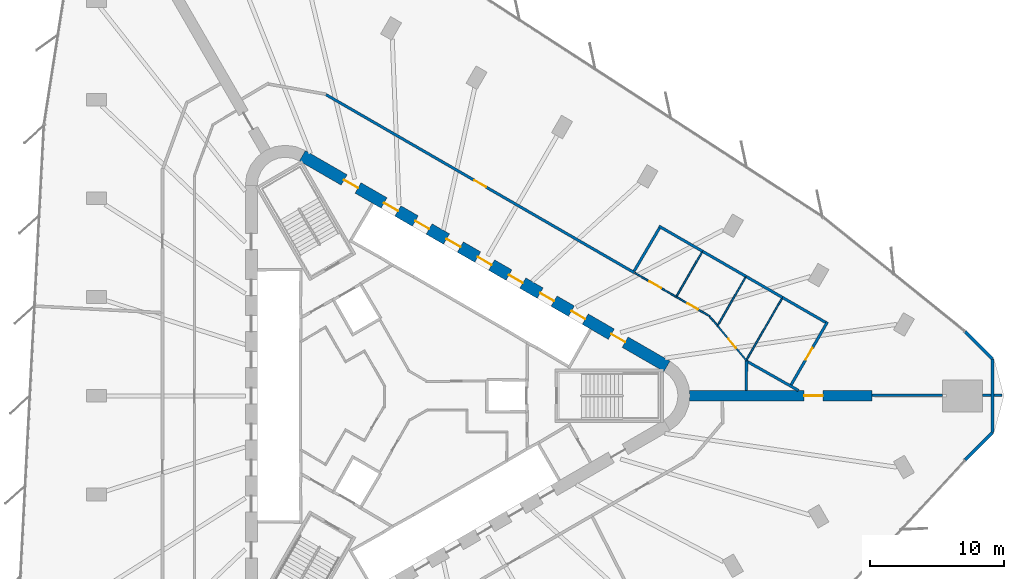
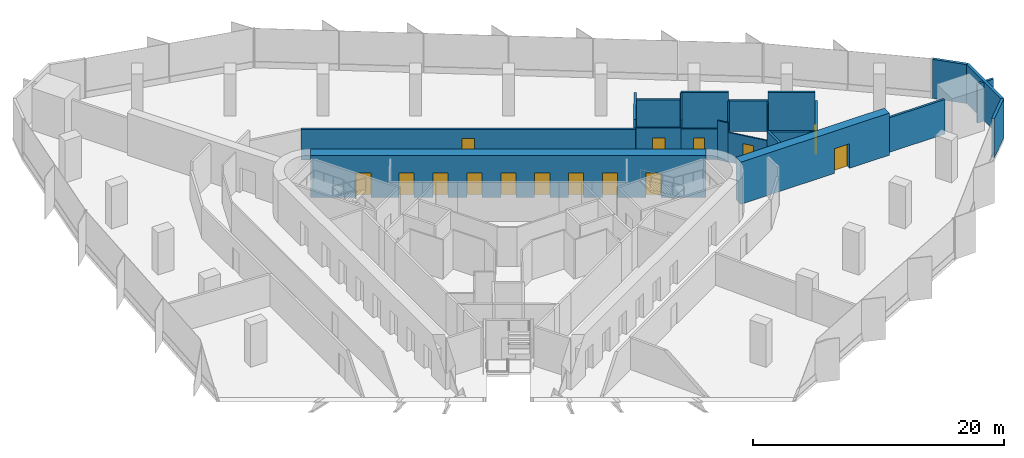
# One storey, part 12 of 14: 24 walls, 15 doors, 15 openings.
"""IFC4 building model written with IfcOpenShell, lengths in metres."""

import ifcopenshell
import ifcopenshell.guid

model = None  # the IFC model being written
_history = None  # IfcOwnerHistory: only IFC2X3 demands one
_inside = {}  # id of a spatial element -> (the spatial element, [elements in it])
_under = {}  # id of a project, library or spatial element -> (it, [spatial elements below it])
_declared = {}  # id of a project -> (the project, [libraries it declares])
_typed = {}  # id of a type object -> (the type object, [elements of that type])
_made_of = {}  # id of a material, layer set ... -> (it, [elements and type objects made of it])


def new_model(schema):
    """Start an empty IFC model of exactly this schema.

    Asked for "IFC4X3", IfcOpenShell would pick the latest addendum, in which some entities
    have other attributes; the version numbers below select the first issue.
    IFC2X3 requires an IfcOwnerHistory on every rooted entity: one is made here for all.
    """
    global model, _history
    if schema == "IFC4X3":
        model = ifcopenshell.file(schema_version=(4, 3, 0, 0))
    else:
        model = ifcopenshell.file(schema=schema)
    _inside.clear()
    _under.clear()
    _declared.clear()
    _typed.clear()
    _made_of.clear()
    _history = None
    if model.schema == "IFC2X3":
        org = make("IfcOrganization", Name="unknown")
        user = make(
            "IfcPersonAndOrganization",
            ThePerson=make("IfcPerson", FamilyName="unknown"),
            TheOrganization=org,
        )
        app = make(
            "IfcApplication",
            ApplicationDeveloper=org,
            Version="unknown",
            ApplicationFullName="unknown",
            ApplicationIdentifier="unknown",
        )
        _history = make(
            "IfcOwnerHistory",
            OwningUser=user,
            OwningApplication=app,
            ChangeAction="ADDED",
            CreationDate=0,
        )
    return model


def make(cls, **values):
    """One entity of the class cls with the attributes given. An attribute that is None is left unset."""
    return model.create_entity(
        cls, **{name: value for name, value in values.items() if value is not None}
    )


def rooted(cls, **values):
    """An entity with a GlobalId (a new one), such as an element, a storey or a relation."""
    return make(cls, GlobalId=ifcopenshell.guid.new(), OwnerHistory=_history, **values)


def si_unit(unit_type, name, prefix=None):
    """IfcSIUnit, for example si_unit("LENGTHUNIT", "METRE", prefix="MILLI")."""
    return make("IfcSIUnit", UnitType=unit_type, Prefix=prefix, Name=name)


def assignment(units):
    """IfcUnitAssignment: the units of a project."""
    return None if units is None else make("IfcUnitAssignment", Units=units)


def point(xyz):
    """IfcCartesianPoint."""
    return None if xyz is None else make("IfcCartesianPoint", Coordinates=xyz)


def direction(xyz):
    """IfcDirection."""
    return None if xyz is None else make("IfcDirection", DirectionRatios=xyz)


def frame(location, z_axis=None, x_axis=None):
    """IfcAxis2Placement3D, a coordinate frame: its origin and axes. An axis left out is left unset."""
    return make(
        "IfcAxis2Placement3D",
        Location=point(location),
        Axis=direction(z_axis),
        RefDirection=direction(x_axis),
    )


def frame_2d(location, x_axis=None):
    """IfcAxis2Placement2D, a coordinate frame in the plane: its origin and x axis."""
    return make(
        "IfcAxis2Placement2D", Location=point(location), RefDirection=direction(x_axis)
    )


def origin():
    """The frame at (0, 0, 0) with its axes left unset."""
    return frame((0.0, 0.0, 0.0))


def place(relative_to, where):
    """IfcLocalPlacement: puts the frame where relative to a parent placement (None: the world)."""
    return make(
        "IfcLocalPlacement", PlacementRelTo=relative_to, RelativePlacement=where
    )


def context(
    kind, dimensions, precision=None, world=None, true_north=None, identifier=None
):
    """IfcGeometricRepresentationContext, for example the 3D "Model" context."""
    return make(
        "IfcGeometricRepresentationContext",
        ContextIdentifier=identifier,
        ContextType=kind,
        CoordinateSpaceDimension=dimensions,
        Precision=precision,
        WorldCoordinateSystem=world,
        TrueNorth=true_north,
    )


def subcontext(parent, identifier, kind, view, scale=None):
    """IfcGeometricRepresentationSubContext, for example "Body" below "Model"."""
    return make(
        "IfcGeometricRepresentationSubContext",
        ContextIdentifier=identifier,
        ContextType=kind,
        ParentContext=parent,
        TargetScale=scale,
        TargetView=view,
    )


def project(units=None, contexts=None):
    """IfcProject with its units and contexts."""
    return rooted(
        "IfcProject",
        Name="project",
        RepresentationContexts=contexts,
        UnitsInContext=assignment(units),
    )


def spatial(cls, under=None, at=None, **own):
    """A site, building, storey or space (cls), placed at a placement, below another one or the project."""
    s = rooted(cls, ObjectPlacement=at, **own)
    if under is not None:
        _under.setdefault(under.id(), (under, []))[1].append(s)
    return s


def profile(cls, at=None, kind="AREA", **sizes):
    """A parametric profile (cls). Its sizes go by their IFC names, for example OverallWidth=200.0."""
    return make(cls, ProfileType=kind, Position=at, **sizes)


def rectangle(**sizes):
    """IfcRectangleProfileDef."""
    return profile("IfcRectangleProfileDef", **sizes)


def extrude(swept, where, along, depth):
    """IfcExtrudedAreaSolid: the profile swept, set in the frame where, extruded along a direction by depth."""
    return make(
        "IfcExtrudedAreaSolid",
        SweptArea=swept,
        Position=where,
        ExtrudedDirection=direction(along),
        Depth=depth,
    )


def shape(context_of_items, identifier, shape_type, items):
    """IfcShapeRepresentation: the items that make up one representation, for example the "Body"."""
    return make(
        "IfcShapeRepresentation",
        ContextOfItems=context_of_items,
        RepresentationIdentifier=identifier,
        RepresentationType=shape_type,
        Items=items,
    )


def material(Name=None, Category=None):
    """IfcMaterial."""
    return make("IfcMaterial", Name=Name, Category=Category)


def layer(
    of_material, thickness, ventilated=None, Name=None, Category=None, Priority=None
):
    """IfcMaterialLayer: one layer of a wall or slab, of a material (None: an air gap)."""
    return make(
        "IfcMaterialLayer",
        Material=of_material,
        LayerThickness=thickness,
        IsVentilated=ventilated,
        Name=Name,
        Category=Category,
        Priority=Priority,
    )


def layer_set(layers, Name=None):
    """IfcMaterialLayerSet."""
    return make("IfcMaterialLayerSet", MaterialLayers=layers, LayerSetName=Name)


def made_of(thing, what):
    """Note that an element or type object is made of a material, layer set ...; save() writes the relation."""
    if what is not None:
        _made_of.setdefault(what.id(), (what, []))[1].append(thing)
    return thing


def type_object(cls, material=None, **own):
    """A type object (cls), such as IfcWallType, which elements share."""
    return made_of(rooted(cls, **own), material)


def element(
    cls,
    number,
    at=None,
    inside=None,
    cuts=None,
    type_object=None,
    material=None,
    context=None,
    identifier="Body",
    shape_type=None,
    held_by="IfcProductDefinitionShape",
    body=None,
    shapes=None,
    **own,
):
    """One element of the class cls, such as IfcWall. Its Tag is "e" and its number.

    at: its placement. inside: the storey or other place that contains it. cuts: it is an
    opening in that element (IfcRelVoidsElement). A single representation is given by context,
    identifier, shape_type and body (its items); several are given by shapes. held_by: the class
    of the entity that holds the representations. save() writes the other relations.
    """
    e = rooted(cls, Tag="e%d" % number, ObjectPlacement=at, **own)
    if body is not None:
        shapes = [shape(context, identifier, shape_type, body)]
    if shapes is not None:
        e.Representation = make(held_by, Representations=shapes)
    if inside is not None:
        _inside.setdefault(inside.id(), (inside, []))[1].append(e)
    if cuts is not None:
        rooted(
            "IfcRelVoidsElement", RelatingBuildingElement=cuts, RelatedOpeningElement=e
        )
    if type_object is not None:
        _typed.setdefault(type_object.id(), (type_object, []))[1].append(e)
    return made_of(e, material)


def fill(opening, filler):
    """IfcRelFillsElement: the door or window that sits in an opening."""
    return rooted(
        "IfcRelFillsElement",
        RelatingOpeningElement=opening,
        RelatedBuildingElement=filler,
    )


def aggregate(whole, parts):
    """IfcRelAggregates: a whole, such as a stair, and the parts it consists of."""
    return rooted("IfcRelAggregates", RelatingObject=whole, RelatedObjects=parts)


def save(model, path):
    """Write the relations noted so far, then the file.

    IfcRelAggregates (storeys below a building ...), IfcRelContainedInSpatialStructure (elements
    in a storey), IfcRelDefinesByType, IfcRelAssociatesMaterial and IfcRelDeclares: one each for
    every whole, place, type object, material and project.
    """
    for whole, parts in _under.values():
        aggregate(whole, parts)
    for where, things in _inside.values():
        rooted(
            "IfcRelContainedInSpatialStructure",
            RelatedElements=things,
            RelatingStructure=where,
        )
    for kind, things in _typed.values():
        rooted("IfcRelDefinesByType", RelatedObjects=things, RelatingType=kind)
    for what, things in _made_of.values():
        rooted("IfcRelAssociatesMaterial", RelatedObjects=things, RelatingMaterial=what)
    for by, libraries in _declared.values():
        rooted("IfcRelDeclares", RelatingContext=by, RelatedDefinitions=libraries)
    model.write(path)


model = new_model("IFC4")

# Units and contexts
model_context = context("Model", 3, precision=1e-05, world=origin(), true_north=direction((0.0, 1.0)))
body_context = subcontext(model_context, "Body", "Model", "MODEL_VIEW")
ifc_project = project(units=[si_unit("LENGTHUNIT", "METRE"), si_unit("AREAUNIT", "SQUARE_METRE"), si_unit("VOLUMEUNIT", "CUBIC_METRE"), si_unit("PLANEANGLEUNIT", "RADIAN"), si_unit("MASSUNIT", "GRAM", prefix="KILO")], contexts=[model_context])

# Site, building, storey
site_placement = place(None, origin())
site = spatial("IfcSite", under=ifc_project, at=site_placement, CompositionType="ELEMENT")
building_placement = place(site_placement, origin())
building = spatial("IfcBuilding", under=site, at=building_placement, Name="Tanit Gate Tower", CompositionType="ELEMENT")
storey_placement = place(building_placement, frame((0.0, 0.0, 70.10009765625)))
storey = spatial("IfcBuildingStorey", under=building, at=storey_placement, Name="L13", CompositionType="ELEMENT", Elevation=70.10009765625)

# Wall, opening, door
ifc_material_1 = material(Name="Concrete C60/75", Category="concrete")
ifc_layer_1 = layer(ifc_material_1, 0.800048828125)
ifc_layer_set_1 = layer_set([ifc_layer_1], Name="BUTTRESS FIN 800 C60/75")
wall_type_1 = type_object("IfcWallType", Name="BUTTRESS FIN 800 C60/75", PredefinedType="SHEAR", material=ifc_layer_set_1)
wall_1_placement = place(storey_placement, frame((21.14990234375, 0.0, 0.0), z_axis=(0.0, 0.0, 1.0), x_axis=(1.0, 0.0, 0.0)))
wall_1 = element("IfcWall", 1, at=wall_1_placement, inside=storey, type_object=wall_type_1, Name="BUTTRESS FIN", PredefinedType="SHEAR", context=body_context, shape_type="SweptSolid", body=[
    extrude(rectangle(XDim=13.669677734375, YDim=0.800048828125, at=frame_2d((6.8349609375, 0.0))), origin(), (0.0, 0.0, 1.0), 4.099853515625),
])
opening_1_placement = place(wall_1_placement, frame((8.60009765625, 0.0, 0.0)))
opening_1 = element("IfcOpeningElement", 2, at=opening_1_placement, cuts=wall_1, Name="Opening P14-S02-F-E-1", PredefinedType="OPENING", context=body_context, shape_type="SweptSolid", body=[
    extrude(rectangle(XDim=1.39990234375, YDim=2.39990234375, at=frame_2d((0.699951171875, 1.199951171875))), frame((0.0, 0.41015625, 0.0), z_axis=(0.0, -1.0, 0.0), x_axis=(1.0, 0.0, 0.0)), (0.0, 0.0, 1.0), 0.820068359375),
])
ifc_material_2 = material(Name="Timber door leaf", Category="wood")
door_type_1 = type_object("IfcDoorType", Name="INT-DOOR-FIN-PAIR-1400", OperationType="NOTDEFINED", PredefinedType="NOTDEFINED", material=ifc_material_2)
door_1_placement = place(opening_1_placement, origin())
door_1 = element("IfcDoor", 3, at=door_1_placement, inside=storey, type_object=door_type_1, Name="Door P14-S02-F-E-1", OperationType="DOUBLE_DOOR_SINGLE_SWING", OverallHeight=2.39990234375, OverallWidth=1.39990234375, PredefinedType="NOTDEFINED", context=body_context, shape_type="SweptSolid", body=[
    extrude(rectangle(XDim=1.39990234375, YDim=2.39990234375, at=frame_2d((0.699951171875, 1.199951171875))), frame((0.0, 0.02490234375, 0.0), z_axis=(0.0, -1.0, 0.0), x_axis=(1.0, 0.0, 0.0)), (0.0, 0.0, 1.0), 0.050048828125),
])
fill(opening_1, door_1)

# Wall, openings, doors
ifc_material_3 = material(Name="Concrete C60/75", Category="concrete")
ifc_layer_2 = layer(ifc_material_3, 0.89990234375)
ifc_layer_set_2 = layer_set([ifc_layer_2], Name="CORE WALL 900 C60/75")
wall_type_2 = type_object("IfcWallType", Name="CORE WALL 900 C60/75", PredefinedType="SHEAR", material=ifc_layer_set_2)
wall_2_placement = place(storey_placement, frame((19.47509765625, 2.20849609375, 0.0), z_axis=(0.0, 0.0, 1.0), x_axis=(-0.866028369851, 0.499994862586, 0.0)))
wall_2 = element("IfcWall", 4, at=wall_2_placement, inside=storey, type_object=wall_type_2, Name="CORE WALL", PredefinedType="SHEAR", context=body_context, shape_type="SweptSolid", body=[
    extrude(rectangle(XDim=31.523193359375, YDim=0.89990234375, at=frame_2d((15.76171875, 0.0))), origin(), (0.0, 0.0, 1.0), 4.099853515625),
])
opening_2_placement = place(wall_2_placement, frame((7.0615234375, 0.0, 0.0)))
opening_2 = element("IfcOpeningElement", 5, at=opening_2_placement, cuts=wall_2, Name="Opening LDLL8-S02", PredefinedType="OPENING", context=body_context, shape_type="SweptSolid", body=[
    extrude(rectangle(XDim=1.199951171875, YDim=2.39990234375, at=frame_2d((0.60009765625, 1.199951171875))), frame((0.0, 0.4599609375, 0.0), z_axis=(0.0, -1.0, 0.0), x_axis=(1.0, 0.0, 0.0)), (0.0, 0.0, 1.0), 0.919921875),
])
opening_3_placement = place(wall_2_placement, frame((9.76171875, 0.0, 0.0)))
opening_3 = element("IfcOpeningElement", 6, at=opening_3_placement, cuts=wall_2, Name="Opening LDLL9-S02", PredefinedType="OPENING", context=body_context, shape_type="SweptSolid", body=[
    extrude(rectangle(XDim=1.199951171875, YDim=2.39990234375, at=frame_2d((0.60009765625, 1.199951171875))), frame((0.0, 0.4599609375, 0.0), z_axis=(0.0, -1.0, 0.0), x_axis=(1.0, 0.0, 0.0)), (0.0, 0.0, 1.0), 0.919921875),
])
opening_4_placement = place(wall_2_placement, frame((12.461669921875, 0.0, 0.0)))
opening_4 = element("IfcOpeningElement", 7, at=opening_4_placement, cuts=wall_2, Name="Opening LDLL10-S02", PredefinedType="OPENING", context=body_context, shape_type="SweptSolid", body=[
    extrude(rectangle(XDim=1.199951171875, YDim=2.39990234375, at=frame_2d((0.60009765625, 1.199951171875))), frame((0.0, 0.4599609375, 0.0), z_axis=(0.0, -1.0, 0.0), x_axis=(1.0, 0.0, 0.0)), (0.0, 0.0, 1.0), 0.919921875),
])
opening_5_placement = place(wall_2_placement, frame((15.16162109375, 0.0, 0.0)))
opening_5 = element("IfcOpeningElement", 8, at=opening_5_placement, cuts=wall_2, Name="Opening LDSL1-S02", PredefinedType="OPENING", context=body_context, shape_type="SweptSolid", body=[
    extrude(rectangle(XDim=1.199951171875, YDim=2.39990234375, at=frame_2d((0.60009765625, 1.199951171875))), frame((0.0, 0.4599609375, 0.0), z_axis=(0.0, -1.0, 0.0), x_axis=(1.0, 0.0, 0.0)), (0.0, 0.0, 1.0), 0.919921875),
])
opening_6_placement = place(wall_2_placement, frame((17.861572265625, 0.0, 0.0)))
opening_6 = element("IfcOpeningElement", 9, at=opening_6_placement, cuts=wall_2, Name="Opening LDSL2-S02", PredefinedType="OPENING", context=body_context, shape_type="SweptSolid", body=[
    extrude(rectangle(XDim=1.199951171875, YDim=2.39990234375, at=frame_2d((0.60009765625, 1.199951171875))), frame((0.0, 0.4599609375, 0.0), z_axis=(0.0, -1.0, 0.0), x_axis=(1.0, 0.0, 0.0)), (0.0, 0.0, 1.0), 0.919921875),
])
opening_7_placement = place(wall_2_placement, frame((20.5615234375, 0.0, 0.0)))
opening_7 = element("IfcOpeningElement", 10, at=opening_7_placement, cuts=wall_2, Name="Opening LDSL3-S02", PredefinedType="OPENING", context=body_context, shape_type="SweptSolid", body=[
    extrude(rectangle(XDim=1.199951171875, YDim=2.39990234375, at=frame_2d((0.60009765625, 1.199951171875))), frame((0.0, 0.4599609375, 0.0), z_axis=(0.0, -1.0, 0.0), x_axis=(1.0, 0.0, 0.0)), (0.0, 0.0, 1.0), 0.919921875),
])
opening_8_placement = place(wall_2_placement, frame((23.26171875, 0.0, 0.0)))
opening_8 = element("IfcOpeningElement", 11, at=opening_8_placement, cuts=wall_2, Name="Opening LDSL4-S02", PredefinedType="OPENING", context=body_context, shape_type="SweptSolid", body=[
    extrude(rectangle(XDim=1.199951171875, YDim=2.39990234375, at=frame_2d((0.60009765625, 1.199951171875))), frame((0.0, 0.4599609375, 0.0), z_axis=(0.0, -1.0, 0.0), x_axis=(1.0, 0.0, 0.0)), (0.0, 0.0, 1.0), 0.919921875),
])
opening_9_placement = place(wall_2_placement, frame((3.611572265625, 0.0, 0.0)))
opening_9 = element("IfcOpeningElement", 12, at=opening_9_placement, cuts=wall_2, Name="Opening F12-S02-FL1", PredefinedType="OPENING", context=body_context, shape_type="SweptSolid", body=[
    extrude(rectangle(XDim=1.199951171875, YDim=2.39990234375, at=frame_2d((0.60009765625, 1.199951171875))), frame((0.0, 0.4599609375, 0.0), z_axis=(0.0, -1.0, 0.0), x_axis=(1.0, 0.0, 0.0)), (0.0, 0.0, 1.0), 0.919921875),
])
opening_10_placement = place(wall_2_placement, frame((26.711669921875, 0.0, 0.0)))
opening_10 = element("IfcOpeningElement", 13, at=opening_10_placement, cuts=wall_2, Name="Opening F12-S02-S2", PredefinedType="OPENING", context=body_context, shape_type="SweptSolid", body=[
    extrude(rectangle(XDim=1.199951171875, YDim=2.39990234375, at=frame_2d((0.60009765625, 1.199951171875))), frame((0.0, 0.4599609375, 0.0), z_axis=(0.0, -1.0, 0.0), x_axis=(1.0, 0.0, 0.0)), (0.0, 0.0, 1.0), 0.919921875),
])
ifc_material_4 = material(Name="Fire-rated steel door leaf", Category="steel")
door_type_2 = type_object("IfcDoorType", Name="INT-DOOR-FIRE-LOBBY-1200", OperationType="NOTDEFINED", PredefinedType="USERDEFINED", material=ifc_material_4)
door_2_placement = place(opening_9_placement, origin())
door_2 = element("IfcDoor", 14, at=door_2_placement, inside=storey, type_object=door_type_2, Name="Door F12-S02-FL1", ObjectType="FIRE DOOR", OperationType="SINGLE_SWING_LEFT", OverallHeight=2.39990234375, OverallWidth=1.199951171875, PredefinedType="USERDEFINED", context=body_context, shape_type="SweptSolid", body=[
    extrude(rectangle(XDim=1.199951171875, YDim=2.39990234375, at=frame_2d((0.60009765625, 1.199951171875))), frame((0.0, 0.02490234375, 0.0), z_axis=(0.0, -1.0, 0.0), x_axis=(1.0, 0.0, 0.0)), (0.0, 0.0, 1.0), 0.050048828125),
])
fill(opening_9, door_2)
door_3_placement = place(opening_10_placement, origin())
door_3 = element("IfcDoor", 15, at=door_3_placement, inside=storey, type_object=door_type_2, Name="Door F12-S02-S2", ObjectType="FIRE DOOR", OperationType="SINGLE_SWING_LEFT", OverallHeight=2.39990234375, OverallWidth=1.199951171875, PredefinedType="USERDEFINED", context=body_context, shape_type="SweptSolid", body=[
    extrude(rectangle(XDim=1.199951171875, YDim=2.39990234375, at=frame_2d((0.60009765625, 1.199951171875))), frame((0.0, 0.02490234375, 0.0), z_axis=(0.0, -1.0, 0.0), x_axis=(1.0, 0.0, 0.0)), (0.0, 0.0, 1.0), 0.050048828125),
])
fill(opening_10, door_3)
ifc_material_5 = material(Name="Stainless steel sliding door leaf", Category="steel")
door_type_3 = type_object("IfcDoorType", Name="INT-DOOR-LANDING-1200", OperationType="NOTDEFINED", PredefinedType="USERDEFINED", material=ifc_material_5)
door_4_placement = place(opening_2_placement, origin())
door_4 = element("IfcDoor", 16, at=door_4_placement, inside=storey, type_object=door_type_3, Name="Door LDLL8-S02", ObjectType="LANDING DOOR", OperationType="SLIDING_TO_LEFT", OverallHeight=2.39990234375, OverallWidth=1.199951171875, PredefinedType="USERDEFINED", context=body_context, shape_type="SweptSolid", body=[
    extrude(rectangle(XDim=1.199951171875, YDim=2.39990234375, at=frame_2d((0.60009765625, 1.199951171875))), frame((0.0, 0.02490234375, 0.0), z_axis=(0.0, -1.0, 0.0), x_axis=(1.0, 0.0, 0.0)), (0.0, 0.0, 1.0), 0.050048828125),
])
fill(opening_2, door_4)
door_5_placement = place(opening_3_placement, origin())
door_5 = element("IfcDoor", 17, at=door_5_placement, inside=storey, type_object=door_type_3, Name="Door LDLL9-S02", ObjectType="LANDING DOOR", OperationType="SLIDING_TO_LEFT", OverallHeight=2.39990234375, OverallWidth=1.199951171875, PredefinedType="USERDEFINED", context=body_context, shape_type="SweptSolid", body=[
    extrude(rectangle(XDim=1.199951171875, YDim=2.39990234375, at=frame_2d((0.60009765625, 1.199951171875))), frame((0.0, 0.02490234375, 0.0), z_axis=(0.0, -1.0, 0.0), x_axis=(1.0, 0.0, 0.0)), (0.0, 0.0, 1.0), 0.050048828125),
])
fill(opening_3, door_5)
door_6_placement = place(opening_4_placement, origin())
door_6 = element("IfcDoor", 18, at=door_6_placement, inside=storey, type_object=door_type_3, Name="Door LDLL10-S02", ObjectType="LANDING DOOR", OperationType="SLIDING_TO_LEFT", OverallHeight=2.39990234375, OverallWidth=1.199951171875, PredefinedType="USERDEFINED", context=body_context, shape_type="SweptSolid", body=[
    extrude(rectangle(XDim=1.199951171875, YDim=2.39990234375, at=frame_2d((0.60009765625, 1.199951171875))), frame((0.0, 0.02490234375, 0.0), z_axis=(0.0, -1.0, 0.0), x_axis=(1.0, 0.0, 0.0)), (0.0, 0.0, 1.0), 0.050048828125),
])
fill(opening_4, door_6)
door_7_placement = place(opening_5_placement, origin())
door_7 = element("IfcDoor", 19, at=door_7_placement, inside=storey, type_object=door_type_3, Name="Door LDSL1-S02", ObjectType="LANDING DOOR", OperationType="SLIDING_TO_LEFT", OverallHeight=2.39990234375, OverallWidth=1.199951171875, PredefinedType="USERDEFINED", context=body_context, shape_type="SweptSolid", body=[
    extrude(rectangle(XDim=1.199951171875, YDim=2.39990234375, at=frame_2d((0.60009765625, 1.199951171875))), frame((0.0, 0.02490234375, 0.0), z_axis=(0.0, -1.0, 0.0), x_axis=(1.0, 0.0, 0.0)), (0.0, 0.0, 1.0), 0.050048828125),
])
fill(opening_5, door_7)
door_8_placement = place(opening_6_placement, origin())
door_8 = element("IfcDoor", 20, at=door_8_placement, inside=storey, type_object=door_type_3, Name="Door LDSL2-S02", ObjectType="LANDING DOOR", OperationType="SLIDING_TO_LEFT", OverallHeight=2.39990234375, OverallWidth=1.199951171875, PredefinedType="USERDEFINED", context=body_context, shape_type="SweptSolid", body=[
    extrude(rectangle(XDim=1.199951171875, YDim=2.39990234375, at=frame_2d((0.60009765625, 1.199951171875))), frame((0.0, 0.02490234375, 0.0), z_axis=(0.0, -1.0, 0.0), x_axis=(1.0, 0.0, 0.0)), (0.0, 0.0, 1.0), 0.050048828125),
])
fill(opening_6, door_8)
door_9_placement = place(opening_7_placement, origin())
door_9 = element("IfcDoor", 21, at=door_9_placement, inside=storey, type_object=door_type_3, Name="Door LDSL3-S02", ObjectType="LANDING DOOR", OperationType="SLIDING_TO_LEFT", OverallHeight=2.39990234375, OverallWidth=1.199951171875, PredefinedType="USERDEFINED", context=body_context, shape_type="SweptSolid", body=[
    extrude(rectangle(XDim=1.199951171875, YDim=2.39990234375, at=frame_2d((0.60009765625, 1.199951171875))), frame((0.0, 0.02490234375, 0.0), z_axis=(0.0, -1.0, 0.0), x_axis=(1.0, 0.0, 0.0)), (0.0, 0.0, 1.0), 0.050048828125),
])
fill(opening_7, door_9)
door_10_placement = place(opening_8_placement, origin())
door_10 = element("IfcDoor", 22, at=door_10_placement, inside=storey, type_object=door_type_3, Name="Door LDSL4-S02", ObjectType="LANDING DOOR", OperationType="SLIDING_TO_LEFT", OverallHeight=2.39990234375, OverallWidth=1.199951171875, PredefinedType="USERDEFINED", context=body_context, shape_type="SweptSolid", body=[
    extrude(rectangle(XDim=1.199951171875, YDim=2.39990234375, at=frame_2d((0.60009765625, 1.199951171875))), frame((0.0, 0.02490234375, 0.0), z_axis=(0.0, -1.0, 0.0), x_axis=(1.0, 0.0, 0.0)), (0.0, 0.0, 1.0), 0.050048828125),
])
fill(opening_8, door_10)

# Walls
ifc_material_6 = material(Name="Concrete C30/37 with bronze anodised aluminium cladding", Category="concrete")
ifc_layer_3 = layer(ifc_material_6, 0.239990234375)
ifc_layer_set_3 = layer_set([ifc_layer_3], Name="Facade wall bronze clad 240")
wall_type_3 = type_object("IfcWallType", Name="Facade wall bronze clad 240", PredefinedType="SOLIDWALL", material=ifc_layer_set_3)
wall_3_placement = place(storey_placement, frame((41.8017578125, -4.814453125, 0.0), z_axis=(0.0, 0.0, 1.0), x_axis=(0.707148907235, 0.707064652629, 0.0)))
element("IfcWall", 23, at=wall_3_placement, inside=storey, type_object=wall_type_3, Name="Bronze-clad facade wall L13 E.arc1", PredefinedType="SOLIDWALL", context=body_context, shape_type="SweptSolid", body=[
    extrude(rectangle(XDim=2.897705078125, YDim=0.239990234375, at=frame_2d((1.44873046875, 0.0))), origin(), (0.0, 0.0, 1.0), 3.7998046875),
])
wall_4_placement = place(storey_placement, frame((43.850830078125, -2.765625, 0.0), z_axis=(0.0, 0.0, 1.0), x_axis=(0.0, 1.0, 0.0)))
element("IfcWall", 24, at=wall_4_placement, inside=storey, type_object=wall_type_3, Name="Bronze-clad facade wall L13 E.arc2", PredefinedType="SOLIDWALL", context=body_context, shape_type="SweptSolid", body=[
    extrude(rectangle(XDim=5.53125, YDim=0.239990234375, at=frame_2d((2.765625, 0.0))), origin(), (0.0, 0.0, 1.0), 3.7998046875),
])
wall_5_placement = place(storey_placement, frame((43.850830078125, 2.765625, 0.0), z_axis=(0.0, 0.0, 1.0), x_axis=(-0.707106781187, 0.707106781187, 0.0)))
element("IfcWall", 25, at=wall_5_placement, inside=storey, type_object=wall_type_3, Name="Bronze-clad facade wall L13 E.arc3", PredefinedType="SOLIDWALL", context=body_context, shape_type="SweptSolid", body=[
    extrude(rectangle(XDim=2.888916015625, YDim=0.239990234375, at=frame_2d((1.4443359375, 0.0))), origin(), (0.0, 0.0, 1.0), 3.7998046875),
])

# Wall, opening, door
ifc_material_7 = material(Name="Fire-rated gypsum board partition")
ifc_layer_4 = layer(ifc_material_7, 0.199951171875)
ifc_layer_set_4 = layer_set([ifc_layer_4], Name="INT-WALL-COMPARTMENT")
wall_type_4 = type_object("IfcWallType", Name="INT-WALL-COMPARTMENT", PredefinedType="PARTITIONING", material=ifc_layer_set_4)
wall_6_placement = place(storey_placement, frame((17.02294921875, 9.224365234375, 0.0), z_axis=(0.0, 0.0, 1.0), x_axis=(-0.866024925705, 0.500000828058, 0.0)))
wall_6 = element("IfcWall", 26, at=wall_6_placement, inside=storey, type_object=wall_type_4, Name="Wall Compartment W096", PredefinedType="PARTITIONING", context=body_context, shape_type="SweptSolid", body=[
    extrude(rectangle(XDim=26.64697265625, YDim=0.199951171875, at=frame_2d((13.323486328125, 0.0))), origin(), (0.0, 0.0, 1.0), 2.97998046875),
])
opening_11_placement = place(wall_6_placement, frame((12.823486328125, 0.0, 0.0)))
opening_11 = element("IfcOpeningElement", 27, at=opening_11_placement, cuts=wall_6, Name="Opening F10-S02-21", PredefinedType="OPENING", context=body_context, shape_type="SweptSolid", body=[
    extrude(rectangle(XDim=1.0, YDim=2.10009765625, at=frame_2d((0.5, 1.050048828125))), frame((0.0, 0.10986328125, 0.0), z_axis=(0.0, -1.0, 0.0), x_axis=(1.0, 0.0, 0.0)), (0.0, 0.0, 1.0), 0.219970703125),
])
ifc_material_8 = material(Name="Fire-rated steel door leaf", Category="steel")
door_type_4 = type_object("IfcDoorType", Name="INT-DOOR-FIRE-1000", OperationType="NOTDEFINED", PredefinedType="USERDEFINED", material=ifc_material_8)
door_11_placement = place(opening_11_placement, origin())
door_11 = element("IfcDoor", 28, at=door_11_placement, inside=storey, type_object=door_type_4, Name="Door F10-S02-21", ObjectType="FIRE DOOR", OperationType="SINGLE_SWING_RIGHT", OverallHeight=2.10009765625, OverallWidth=1.0, PredefinedType="USERDEFINED", context=body_context, shape_type="SweptSolid", body=[
    extrude(rectangle(XDim=1.0, YDim=2.10009765625, at=frame_2d((0.5, 1.050048828125))), frame((0.0, 0.02490234375, 0.0), z_axis=(0.0, -1.0, 0.0), x_axis=(1.0, 0.0, 0.0)), (0.0, 0.0, 1.0), 0.050048828125),
])
fill(opening_11, door_11)

# Walls
wall_7_placement = place(storey_placement, frame((25.41845703125, 0.39990234375, 0.0), z_axis=(0.0, 0.0, 1.0), x_axis=(0.005737699208, 0.999983539268, 0.0)))
element("IfcWall", 29, at=wall_7_placement, inside=storey, type_object=wall_type_4, Name="Wall Compartment W097", PredefinedType="PARTITIONING", context=body_context, shape_type="SweptSolid", body=[
    extrude(rectangle(XDim=2.255126953125, YDim=0.199951171875, at=frame_2d((1.12744140625, 0.0))), origin(), (0.0, 0.0, 1.0), 3.7998046875),
])
wall_8_placement = place(storey_placement, frame((34.819580078125, 0.030029296875, 0.0), z_axis=(0.0, 0.0, 1.0), x_axis=(1.0, 0.0, 0.0)))
element("IfcWall", 30, at=wall_8_placement, inside=storey, type_object=wall_type_4, Name="Wall Compartment W114", PredefinedType="PARTITIONING", context=body_context, shape_type="SweptSolid", body=[
    extrude(rectangle(XDim=5.29638671875, YDim=0.199951171875, at=frame_2d((2.648193359375, 0.0))), origin(), (0.0, 0.0, 1.0), 3.369873046875),
])
wall_9_placement = place(storey_placement, frame((43.115966796875, 0.030029296875, 0.0), z_axis=(0.0, 0.0, 1.0), x_axis=(1.0, 0.0, 0.0)))
element("IfcWall", 31, at=wall_9_placement, inside=storey, type_object=wall_type_4, Name="Wall Compartment W115", PredefinedType="PARTITIONING", context=body_context, shape_type="SweptSolid", body=[
    extrude(rectangle(XDim=0.61474609375, YDim=0.199951171875, at=frame_2d((0.307373046875, 0.0))), origin(), (0.0, 0.0, 1.0), 3.7998046875),
])
wall_10_placement = place(storey_placement, frame((43.970703125, 0.030029296875, 0.0), z_axis=(0.0, 0.0, 1.0), x_axis=(1.0, 0.0, 0.0)))
element("IfcWall", 32, at=wall_10_placement, inside=storey, type_object=wall_type_4, Name="Wall Compartment W115x1", PredefinedType="PARTITIONING", context=body_context, shape_type="SweptSolid", body=[
    extrude(rectangle(XDim=0.613037109375, YDim=0.199951171875, at=frame_2d((0.306640625, 0.0))), origin(), (0.0, 0.0, 1.0), 3.7998046875),
])
wall_11_placement = place(storey_placement, frame((18.88037109375, 12.70166015625, 0.0), z_axis=(0.0, 0.0, 1.0), x_axis=(0.865994330033, -0.500053817454, 0.0)))
element("IfcWall", 33, at=wall_11_placement, inside=storey, type_object=wall_type_4, Name="Wall Compartment W116", PredefinedType="PARTITIONING", context=body_context, shape_type="SweptSolid", body=[
    extrude(rectangle(XDim=3.7626953125, YDim=0.199951171875, at=frame_2d((1.88134765625, 0.0))), origin(), (0.0, 0.0, 1.0), 3.079833984375),
])
wall_12_placement = place(storey_placement, frame((22.138916015625, 10.820068359375, 0.0), z_axis=(0.0, 0.0, 1.0), x_axis=(0.866026773083, -0.499997628298, 0.0)))
element("IfcWall", 34, at=wall_12_placement, inside=storey, type_object=wall_type_4, Name="Wall Compartment W118", PredefinedType="PARTITIONING", context=body_context, shape_type="SweptSolid", body=[
    extrude(rectangle(XDim=3.76318359375, YDim=0.199951171875, at=frame_2d((1.881591796875, 0.0))), origin(), (0.0, 0.0, 1.0), 3.7998046875),
])
wall_13_placement = place(storey_placement, frame((25.39794921875, 8.9384765625, 0.0), z_axis=(0.0, 0.0, 1.0), x_axis=(0.86602447079, -0.500001615989, 0.0)))
element("IfcWall", 35, at=wall_13_placement, inside=storey, type_object=wall_type_4, Name="Wall Compartment W119", PredefinedType="PARTITIONING", context=body_context, shape_type="SweptSolid", body=[
    extrude(rectangle(XDim=3.154296875, YDim=0.199951171875, at=frame_2d((1.5771484375, 0.0))), origin(), (0.0, 0.0, 1.0), 2.97998046875),
])
wall_14_placement = place(storey_placement, frame((28.129638671875, 7.361328125, 0.0), z_axis=(0.0, 0.0, 1.0), x_axis=(0.866035156036, -0.499983108224, 0.0)))
element("IfcWall", 36, at=wall_14_placement, inside=storey, type_object=wall_type_4, Name="Wall Compartment W122", PredefinedType="PARTITIONING", context=body_context, shape_type="SweptSolid", body=[
    extrude(rectangle(XDim=3.729736328125, YDim=0.199951171875, at=frame_2d((1.86474609375, 0.0))), origin(), (0.0, 0.0, 1.0), 3.7998046875),
])
wall_15_placement = place(storey_placement, frame((17.021484375, 9.340576171875, 0.0), z_axis=(0.0, 0.0, 1.0), x_axis=(0.506583621903, 0.862190833876, 0.0)))
element("IfcWall", 37, at=wall_15_placement, inside=storey, type_object=wall_type_4, Name="Wall Compartment W117", PredefinedType="PARTITIONING", context=body_context, shape_type="SweptSolid", body=[
    extrude(rectangle(XDim=3.740234375, YDim=0.199951171875, at=frame_2d((1.8701171875, 0.0))), origin(), (0.0, 0.0, 1.0), 3.7998046875),
])
wall_16_placement = place(storey_placement, frame((25.4462890625, 2.594482421875, 0.0), z_axis=(0.0, 0.0, 1.0), x_axis=(0.869969631216, -0.493105303928, 0.0)))
element("IfcWall", 38, at=wall_16_placement, inside=storey, type_object=wall_type_4, Name="Wall Compartment W120", PredefinedType="PARTITIONING", context=body_context, shape_type="SweptSolid", body=[
    extrude(rectangle(XDim=4.450439453125, YDim=0.199951171875, at=frame_2d((2.22509765625, 0.0))), origin(), (0.0, 0.0, 1.0), 3.7998046875),
])

# Wall, opening, door
wall_17_placement = place(storey_placement, frame((28.7763671875, 0.822021484375, 0.0), z_axis=(0.0, 0.0, 1.0), x_axis=(0.499995686755, 0.866027894023, 0.0)))
wall_17 = element("IfcWall", 39, at=wall_17_placement, inside=storey, type_object=wall_type_4, Name="Wall Compartment W121", PredefinedType="PARTITIONING", context=body_context, shape_type="SweptSolid", body=[
    extrude(rectangle(XDim=5.43994140625, YDim=0.199951171875, at=frame_2d((2.719970703125, 0.0))), origin(), (0.0, 0.0, 1.0), 2.8798828125),
])
opening_12_placement = place(wall_17_placement, frame((2.169921875, 0.0, 0.0)))
opening_12 = element("IfcOpeningElement", 40, at=opening_12_placement, cuts=wall_17, Name="Opening F10-S02-18", PredefinedType="OPENING", context=body_context, shape_type="SweptSolid", body=[
    extrude(rectangle(XDim=1.0, YDim=2.10009765625, at=frame_2d((0.5, 1.050048828125))), frame((0.0, 0.10986328125, 0.0), z_axis=(0.0, -1.0, 0.0), x_axis=(1.0, 0.0, 0.0)), (0.0, 0.0, 1.0), 0.219970703125),
])
door_12_placement = place(opening_12_placement, origin())
door_12 = element("IfcDoor", 41, at=door_12_placement, inside=storey, type_object=door_type_4, Name="Door F10-S02-18", ObjectType="FIRE DOOR", OperationType="SINGLE_SWING_RIGHT", OverallHeight=2.10009765625, OverallWidth=1.0, PredefinedType="USERDEFINED", context=body_context, shape_type="SweptSolid", body=[
    extrude(rectangle(XDim=1.0, YDim=2.10009765625, at=frame_2d((0.5, 1.050048828125))), frame((0.0, 0.02490234375, 0.0), z_axis=(0.0, -1.0, 0.0), x_axis=(1.0, 0.0, 0.0)), (0.0, 0.0, 1.0), 0.050048828125),
])
fill(opening_12, door_12)

ifc_material_9 = material(Name="Gypsum board partition")
ifc_layer_5 = layer(ifc_material_9, 0.1201171875)
ifc_layer_set_5 = layer_set([ifc_layer_5], Name="INT-WALL-PARTITION")
wall_type_5 = type_object("IfcWallType", Name="INT-WALL-PARTITION", PredefinedType="PARTITIONING", material=ifc_layer_set_5)
wall_18_placement = place(storey_placement, frame((22.692626953125, 5.950927734375, 0.0), z_axis=(0.0, 0.0, 1.0), x_axis=(-0.866027933502, 0.499995618375, 0.0)))
wall_18 = element("IfcWall", 42, at=wall_18_placement, inside=storey, type_object=wall_type_5, Name="Wall Partition W099", PredefinedType="PARTITIONING", context=body_context, shape_type="SweptSolid", body=[
    extrude(rectangle(XDim=2.9140625, YDim=0.1201171875, at=frame_2d((1.45703125, 0.0))), origin(), (0.0, 0.0, 1.0), 2.97998046875),
])
opening_13_placement = place(wall_18_placement, frame((1.037109375, 0.0, 0.0)))
opening_13 = element("IfcOpeningElement", 43, at=opening_13_placement, cuts=wall_18, Name="Opening D09-S02-16", PredefinedType="OPENING", context=body_context, shape_type="SweptSolid", body=[
    extrude(rectangle(XDim=0.89990234375, YDim=2.10009765625, at=frame_2d((0.449951171875, 1.050048828125))), frame((0.0, 0.070068359375, 0.0), z_axis=(0.0, -1.0, 0.0), x_axis=(1.0, 0.0, 0.0)), (0.0, 0.0, 1.0), 0.14013671875),
])
ifc_material_10 = material(Name="Timber door leaf", Category="wood")
door_type_5 = type_object("IfcDoorType", Name="INT-DOOR-SINGLE-900", OperationType="NOTDEFINED", PredefinedType="NOTDEFINED", material=ifc_material_10)
door_13_placement = place(opening_13_placement, origin())
door_13 = element("IfcDoor", 44, at=door_13_placement, inside=storey, type_object=door_type_5, Name="Door D09-S02-16", OperationType="SINGLE_SWING_LEFT", OverallHeight=2.10009765625, OverallWidth=0.89990234375, PredefinedType="NOTDEFINED", context=body_context, shape_type="SweptSolid", body=[
    extrude(rectangle(XDim=0.89990234375, YDim=2.10009765625, at=frame_2d((0.449951171875, 1.050048828125))), frame((0.0, 0.02490234375, 0.0), z_axis=(0.0, -1.0, 0.0), x_axis=(1.0, 0.0, 0.0)), (0.0, 0.0, 1.0), 0.050048828125),
])
fill(opening_13, door_13)

wall_19_placement = place(storey_placement, frame((20.1689453125, 7.407958984375, 0.0), z_axis=(0.0, 0.0, 1.0), x_axis=(-0.866035089317, 0.49998322379, 0.0)))
wall_19 = element("IfcWall", 45, at=wall_19_placement, inside=storey, type_object=wall_type_5, Name="Wall Partition W098", PredefinedType="PARTITIONING", context=body_context, shape_type="SweptSolid", body=[
    extrude(rectangle(XDim=3.5927734375, YDim=0.1201171875, at=frame_2d((1.79638671875, 0.0))), origin(), (0.0, 0.0, 1.0), 3.079833984375),
])
opening_14_placement = place(wall_19_placement, frame((1.29638671875, 0.0, 0.0)))
opening_14 = element("IfcOpeningElement", 46, at=opening_14_placement, cuts=wall_19, Name="Opening D10-S02-15", PredefinedType="OPENING", context=body_context, shape_type="SweptSolid", body=[
    extrude(rectangle(XDim=1.0, YDim=2.10009765625, at=frame_2d((0.5, 1.050048828125))), frame((0.0, 0.070068359375, 0.0), z_axis=(0.0, -1.0, 0.0), x_axis=(1.0, 0.0, 0.0)), (0.0, 0.0, 1.0), 0.14013671875),
])
ifc_material_11 = material(Name="Timber door leaf", Category="wood")
door_type_6 = type_object("IfcDoorType", Name="INT-DOOR-SINGLE-1000", OperationType="NOTDEFINED", PredefinedType="NOTDEFINED", material=ifc_material_11)
door_14_placement = place(opening_14_placement, origin())
door_14 = element("IfcDoor", 47, at=door_14_placement, inside=storey, type_object=door_type_6, Name="Door D10-S02-15", OperationType="SINGLE_SWING_RIGHT", OverallHeight=2.10009765625, OverallWidth=1.0, PredefinedType="NOTDEFINED", context=body_context, shape_type="SweptSolid", body=[
    extrude(rectangle(XDim=1.0, YDim=2.10009765625, at=frame_2d((0.5, 1.050048828125))), frame((0.0, 0.02490234375, 0.0), z_axis=(0.0, -1.0, 0.0), x_axis=(1.0, 0.0, 0.0)), (0.0, 0.0, 1.0), 0.050048828125),
])
fill(opening_14, door_14)

# Wall
wall_20_placement = place(storey_placement, frame((23.26904296875, 5.232177734375, 0.0), z_axis=(0.0, 0.0, 1.0), x_axis=(-0.642823857783, 0.766014025893, 0.0)))
element("IfcWall", 48, at=wall_20_placement, inside=storey, type_object=wall_type_5, Name="Wall Partition W100", PredefinedType="PARTITIONING", context=body_context, shape_type="SweptSolid", body=[
    extrude(rectangle(XDim=0.91748046875, YDim=0.1201171875, at=frame_2d((0.458740234375, 0.0))), origin(), (0.0, 0.0, 1.0), 3.7998046875),
])

# Wall, opening, door
wall_21_placement = place(storey_placement, frame((25.4462890625, 2.614501953125, 0.0), z_axis=(0.0, 0.0, 1.0), x_axis=(-0.63946471851, 0.768820443134, 0.0)))
wall_21 = element("IfcWall", 49, at=wall_21_placement, inside=storey, type_object=wall_type_5, Name="Wall Partition W101", PredefinedType="PARTITIONING", context=body_context, shape_type="SweptSolid", body=[
    extrude(rectangle(XDim=3.40478515625, YDim=0.1201171875, at=frame_2d((1.702392578125, 0.0))), origin(), (0.0, 0.0, 1.0), 2.8798828125),
])
opening_15_placement = place(wall_21_placement, frame((1.25244140625, 0.0, 0.0)))
opening_15 = element("IfcOpeningElement", 50, at=opening_15_placement, cuts=wall_21, Name="Opening D09-S02-17", PredefinedType="OPENING", context=body_context, shape_type="SweptSolid", body=[
    extrude(rectangle(XDim=0.89990234375, YDim=2.10009765625, at=frame_2d((0.449951171875, 1.050048828125))), frame((0.0, 0.070068359375, 0.0), z_axis=(0.0, -1.0, 0.0), x_axis=(1.0, 0.0, 0.0)), (0.0, 0.0, 1.0), 0.14013671875),
])
door_15_placement = place(opening_15_placement, origin())
door_15 = element("IfcDoor", 51, at=door_15_placement, inside=storey, type_object=door_type_5, Name="Door D09-S02-17", OperationType="SINGLE_SWING_RIGHT", OverallHeight=2.10009765625, OverallWidth=0.89990234375, PredefinedType="NOTDEFINED", context=body_context, shape_type="SweptSolid", body=[
    extrude(rectangle(XDim=0.89990234375, YDim=2.10009765625, at=frame_2d((0.449951171875, 1.050048828125))), frame((0.0, 0.02490234375, 0.0), z_axis=(0.0, -1.0, 0.0), x_axis=(1.0, 0.0, 0.0)), (0.0, 0.0, 1.0), 0.050048828125),
])
fill(opening_15, door_15)

# Walls
wall_22_placement = place(storey_placement, frame((22.0888671875, 10.733642578125, 0.0), z_axis=(0.0, 0.0, 1.0), x_axis=(-0.499966587594, -0.866044693586, 0.0)))
element("IfcWall", 52, at=wall_22_placement, inside=storey, type_object=wall_type_5, Name="Wall Partition W125", PredefinedType="PARTITIONING", context=body_context, shape_type="SweptSolid", body=[
    extrude(rectangle(XDim=3.780029296875, YDim=0.1201171875, at=frame_2d((1.89013671875, 0.0))), origin(), (0.0, 0.0, 1.0), 3.7998046875),
])
wall_23_placement = place(storey_placement, frame((25.34814453125, 8.851806640625, 0.0), z_axis=(0.0, 0.0, 1.0), x_axis=(-0.500051773299, -0.865995510393, 0.0)))
element("IfcWall", 53, at=wall_23_placement, inside=storey, type_object=wall_type_5, Name="Wall Partition W126", PredefinedType="PARTITIONING", context=body_context, shape_type="SweptSolid", body=[
    extrude(rectangle(XDim=4.10693359375, YDim=0.1201171875, at=frame_2d((2.053466796875, 0.0))), origin(), (0.0, 0.0, 1.0), 2.97998046875),
])
wall_24_placement = place(storey_placement, frame((28.07958984375, 7.27490234375, 0.0), z_axis=(0.0, 0.0, 1.0), x_axis=(-0.499984685083, -0.866034245675, 0.0)))
element("IfcWall", 54, at=wall_24_placement, inside=storey, type_object=wall_type_5, Name="Wall Partition W127", PredefinedType="PARTITIONING", context=body_context, shape_type="SweptSolid", body=[
    extrude(rectangle(XDim=5.319091796875, YDim=0.1201171875, at=frame_2d((2.65966796875, 0.0))), origin(), (0.0, 0.0, 1.0), 2.8798828125),
])

save(model, "model.ifc")
